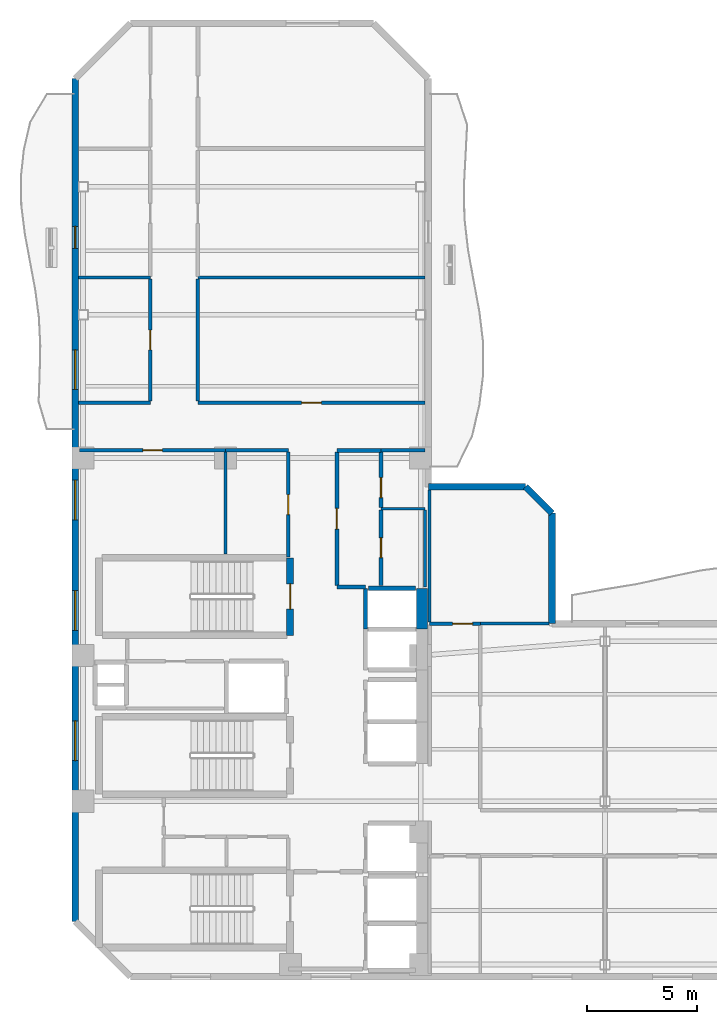
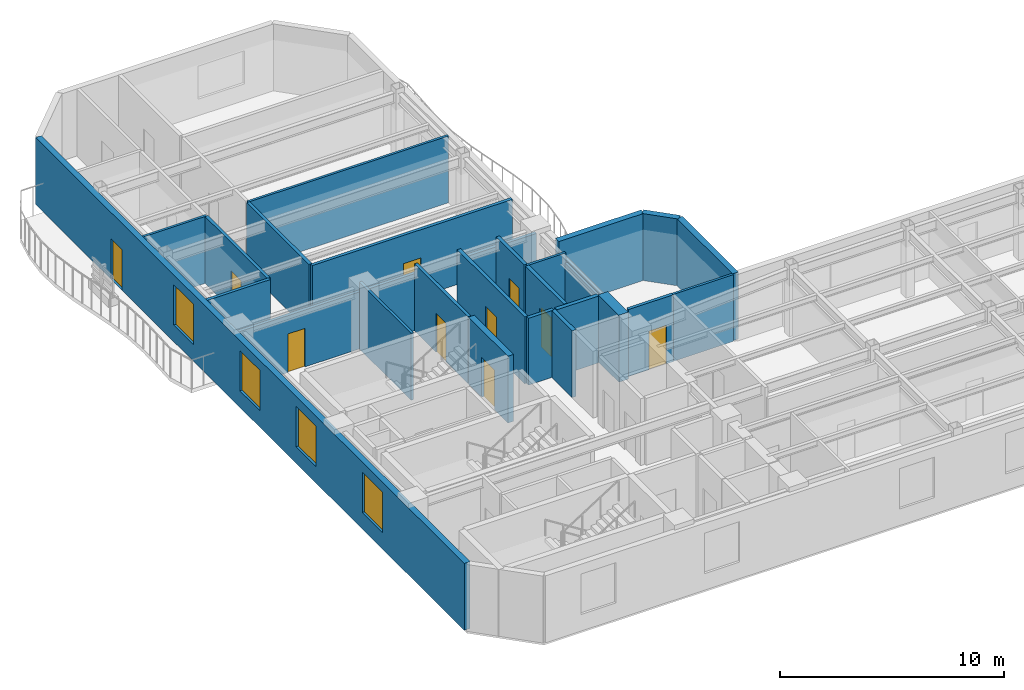
# One storey, part 4 of 9: 29 walls, 10 doors, 4 windows, 14 openings.
"""IFC4 building model written with IfcOpenShell, lengths in metres."""

from ifc_helpers import new_model, si_unit, direction, frame, frame_2d, origin, place, context, subcontext, project, spatial, rectangle, extrude, material, layer, layer_set, type_object, element, fill, save


model = new_model("IFC4")

# Units and contexts
model_context = context("Model", 3, precision=1e-05, world=origin(), true_north=direction((0.0, 1.0)))
body_context = subcontext(model_context, "Body", "Model", "MODEL_VIEW")
ifc_project = project(units=[si_unit("LENGTHUNIT", "METRE"), si_unit("AREAUNIT", "SQUARE_METRE"), si_unit("VOLUMEUNIT", "CUBIC_METRE"), si_unit("PLANEANGLEUNIT", "RADIAN"), si_unit("MASSUNIT", "GRAM", prefix="KILO")], contexts=[model_context])

# Site, building, storey
site_placement = place(None, origin())
site = spatial("IfcSite", under=ifc_project, at=site_placement, CompositionType="ELEMENT")
building_placement = place(site_placement, origin())
building = spatial("IfcBuilding", under=site, at=building_placement, Name="Mawjaban Terraces University", CompositionType="ELEMENT")
storey_placement = place(building_placement, frame((0.0, 0.0, 234.300048828125)))
storey = spatial("IfcBuildingStorey", under=building, at=storey_placement, Name="L57", CompositionType="ELEMENT", Elevation=234.300048828125)

# Walls
ifc_material_1 = material(Name="Acoustic masonry blockwork", Category="masonry")
ifc_layer_1 = layer(ifc_material_1, 0.179931640625)
ifc_layer_set_1 = layer_set([ifc_layer_1], Name="Acoustic masonry blockwork")
wall_type_1 = type_object("IfcWallType", Name="AcousticStudioWall_180", PredefinedType="PARTITIONING", material=ifc_layer_set_1)
wall_1_placement = place(storey_placement, frame((33.85009765625, 17.64990234375, 0.0), z_axis=(0.0, 0.0, 1.0), x_axis=(1.0, 0.0, 0.0)))
element("IfcWall", 1, at=wall_1_placement, inside=storey, type_object=wall_type_1, Name="L57 Graduate Research Collaboration Studio Partition 11", PredefinedType="PARTITIONING", context=body_context, shape_type="SweptSolid", body=[
    extrude(rectangle(XDim=1.2998046875, YDim=0.179931640625, at=frame_2d((0.64990234375, 0.0))), origin(), (0.0, 0.0, 1.0), 3.639892578125),
])
wall_2_placement = place(storey_placement, frame((35.85009765625, 23.85009765625, 0.0), z_axis=(0.0, 0.0, 1.0), x_axis=(-1.0, 0.0, 0.0)))
element("IfcWall", 2, at=wall_2_placement, inside=storey, type_object=wall_type_1, Name="L57 Graduate Research Collaboration Studio Partition 14", PredefinedType="PARTITIONING", context=body_context, shape_type="SweptSolid", body=[
    extrude(rectangle(XDim=2.0, YDim=0.179931640625, at=frame_2d((1.0, 0.0))), origin(), (0.0, 0.0, 1.0), 3.095947265625),
])

# Wall, opening, door
wall_3_placement = place(storey_placement, frame((33.85009765625, 17.735107421875, 0.0), z_axis=(0.0, 0.0, 1.0), x_axis=(0.0, 1.0, 0.0)))
wall_3 = element("IfcWall", 3, at=wall_3_placement, inside=storey, type_object=wall_type_1, Name="L57 Core North Lift Lobby Partition 43", PredefinedType="PARTITIONING", context=body_context, shape_type="SweptSolid", body=[
    extrude(rectangle(XDim=6.02978515625, YDim=0.179931640625, at=frame_2d((3.014892578125, 0.0))), origin(), (0.0, 0.0, 1.0), 3.639892578125),
])
opening_1_placement = place(wall_3_placement, frame((2.5400390625, 0.0, 0.0)))
opening_1 = element("IfcOpeningElement", 4, at=opening_1_placement, cuts=wall_3, Name="Opening ID-095", PredefinedType="OPENING", context=body_context, shape_type="SweptSolid", body=[
    extrude(rectangle(XDim=0.949951171875, YDim=2.10009765625, at=frame_2d((0.47509765625, 1.050048828125))), frame((0.0, 0.099853515625, 0.0), z_axis=(0.0, -1.0, 0.0), x_axis=(1.0, 0.0, 0.0)), (0.0, 0.0, 1.0), 0.199951171875),
])
ifc_material_2 = material(Name="Powder-coated steel frame and solid acoustic timber leaf", Category="steel")
door_type_1 = type_object("IfcDoorType", Name="StudioDoor_950x2100", OperationType="NOTDEFINED", PredefinedType="DOOR", material=ifc_material_2)
door_1_placement = place(opening_1_placement, origin())
door_1 = element("IfcDoor", 5, at=door_1_placement, inside=storey, type_object=door_type_1, Name="L57 Graduate Research Collaboration Studio Door", OperationType="SINGLE_SWING_RIGHT", OverallHeight=2.10009765625, OverallWidth=0.949951171875, PredefinedType="DOOR", context=body_context, shape_type="SweptSolid", body=[
    extrude(rectangle(XDim=0.949951171875, YDim=2.10009765625, at=frame_2d((0.47509765625, 1.050048828125))), frame((0.0, 0.02490234375, 0.0), z_axis=(0.0, -1.0, 0.0), x_axis=(1.0, 0.0, 0.0)), (0.0, 0.0, 1.0), 0.050048828125),
])
fill(opening_1, door_1)

wall_4_placement = place(storey_placement, frame((35.85009765625, 17.72998046875, 0.0), z_axis=(0.0, 0.0, 1.0), x_axis=(0.0, 1.0, 0.0)))
wall_4 = element("IfcWall", 6, at=wall_4_placement, inside=storey, type_object=wall_type_1, Name="L57 Graduate Research Collaboration Studio Partition 44", PredefinedType="PARTITIONING", context=body_context, shape_type="SweptSolid", body=[
    extrude(rectangle(XDim=3.412109375, YDim=0.179931640625, at=frame_2d((1.7060546875, 0.0))), origin(), (0.0, 0.0, 1.0), 3.639892578125),
])
opening_2_placement = place(wall_4_placement, frame((1.256103515625, 0.0, 0.0)))
opening_2 = element("IfcOpeningElement", 7, at=opening_2_placement, cuts=wall_4, Name="Opening ID-090", PredefinedType="OPENING", context=body_context, shape_type="SweptSolid", body=[
    extrude(rectangle(XDim=0.89990234375, YDim=2.10009765625, at=frame_2d((0.449951171875, 1.050048828125))), frame((0.0, 0.099853515625, 0.0), z_axis=(0.0, -1.0, 0.0), x_axis=(1.0, 0.0, 0.0)), (0.0, 0.0, 1.0), 0.199951171875),
])
door_type_2 = type_object("IfcDoorType", Name="OfficeDoor_900x2100", OperationType="NOTDEFINED", PredefinedType="DOOR", material=ifc_material_2)
door_2_placement = place(opening_2_placement, origin())
door_2 = element("IfcDoor", 8, at=door_2_placement, inside=storey, type_object=door_type_2, Name="L57 Research Instrument Store Door", OperationType="SINGLE_SWING_RIGHT", OverallHeight=2.10009765625, OverallWidth=0.89990234375, PredefinedType="DOOR", context=body_context, shape_type="SweptSolid", body=[
    extrude(rectangle(XDim=0.89990234375, YDim=2.10009765625, at=frame_2d((0.449951171875, 1.050048828125))), frame((0.0, 0.02490234375, 0.0), z_axis=(0.0, -1.0, 0.0), x_axis=(1.0, 0.0, 0.0)), (0.0, 0.0, 1.0), 0.050048828125),
])
fill(opening_2, door_2)

wall_5_placement = place(storey_placement, frame((35.85009765625, 21.258056640625, 0.0), z_axis=(0.0, 0.0, 1.0), x_axis=(0.0, 1.0, 0.0)))
wall_5 = element("IfcWall", 9, at=wall_5_placement, inside=storey, type_object=wall_type_1, Name="L57 Graduate Research Collaboration Studio Partition 45", PredefinedType="PARTITIONING", context=body_context, shape_type="SweptSolid", body=[
    extrude(rectangle(XDim=2.5068359375, YDim=0.179931640625, at=frame_2d((1.25341796875, 0.0))), origin(), (0.0, 0.0, 1.0), 3.639892578125),
])
opening_3_placement = place(wall_5_placement, frame((0.4541015625, 0.0, 0.0)))
opening_3 = element("IfcOpeningElement", 10, at=opening_3_placement, cuts=wall_5, Name="Opening ID-090", PredefinedType="OPENING", context=body_context, shape_type="SweptSolid", body=[
    extrude(rectangle(XDim=0.89990234375, YDim=2.10009765625, at=frame_2d((0.449951171875, 1.050048828125))), frame((0.0, 0.099853515625, 0.0), z_axis=(0.0, -1.0, 0.0), x_axis=(1.0, 0.0, 0.0)), (0.0, 0.0, 1.0), 0.199951171875),
])
door_3_placement = place(opening_3_placement, origin())
door_3 = element("IfcDoor", 11, at=door_3_placement, inside=storey, type_object=door_type_2, Name="L57 Graduate Quiet Study Alcove Door", OperationType="SINGLE_SWING_LEFT", OverallHeight=2.10009765625, OverallWidth=0.89990234375, PredefinedType="DOOR", context=body_context, shape_type="SweptSolid", body=[
    extrude(rectangle(XDim=0.89990234375, YDim=2.10009765625, at=frame_2d((0.449951171875, 1.050048828125))), frame((0.0, 0.02490234375, 0.0), z_axis=(0.0, -1.0, 0.0), x_axis=(1.0, 0.0, 0.0)), (0.0, 0.0, 1.0), 0.050048828125),
])
fill(opening_3, door_3)

# Walls
ifc_material_3 = material(Name="Concrete C60/75", Category="concrete")
ifc_layer_2 = layer(ifc_material_3, 0.5)
ifc_layer_set_2 = layer_set([ifc_layer_2], Name="Concrete C60/75")
wall_type_2 = type_object("IfcWallType", Name="CoreShearWall_500", PredefinedType="SHEAR", material=ifc_layer_set_2)
wall_6_placement = place(storey_placement, frame((37.699951171875, 15.75, 0.0), z_axis=(0.0, 0.0, 1.0), x_axis=(0.0, 1.0, 0.0)))
element("IfcWall", 12, at=wall_6_placement, inside=storey, type_object=wall_type_2, Name="L57 Lift OL-2 Hoistway Wall East", PredefinedType="SHEAR", context=body_context, shape_type="SweptSolid", body=[
    extrude(rectangle(XDim=1.85009765625, YDim=0.5, at=frame_2d((0.925048828125, 0.0))), origin(), (0.0, 0.0, 1.0), 3.639892578125),
])
ifc_material_4 = material(Name="Fire-rated gypsum board on steel stud", Category="steel")
ifc_layer_3 = layer(ifc_material_4, 0.159912109375)
ifc_layer_set_3 = layer_set([ifc_layer_3], Name="Fire-rated gypsum board on steel stud")
wall_type_3 = type_object("IfcWallType", Name="CorridorPartition_160", PredefinedType="PARTITIONING", material=ifc_layer_set_3)
wall_7_placement = place(storey_placement, frame((25.39990234375, 26.0, 0.0), z_axis=(0.0, 0.0, 1.0), x_axis=(-1.0, 0.0, 0.0)))
element("IfcWall", 13, at=wall_7_placement, inside=storey, type_object=wall_type_3, Name="L57 North Core Cross-Corridor Partition 3", PredefinedType="PARTITIONING", context=body_context, shape_type="SweptSolid", body=[
    extrude(rectangle(XDim=3.2548828125, YDim=0.159912109375, at=frame_2d((1.62744140625, 0.0))), origin(), (0.0, 0.0, 1.0), 3.639892578125),
])

# Wall, opening, door
wall_8_placement = place(storey_placement, frame((28.800048828125, 23.85009765625, 0.0), z_axis=(0.0, 0.0, 1.0), x_axis=(-1.0, 0.0, 0.0)))
wall_8 = element("IfcWall", 14, at=wall_8_placement, inside=storey, type_object=wall_type_3, Name="L57 Female Toilet Partition 7", PredefinedType="PARTITIONING", context=body_context, shape_type="SweptSolid", body=[
    extrude(rectangle(XDim=6.60009765625, YDim=0.159912109375, at=frame_2d((3.300048828125, 0.0))), origin(), (0.0, 0.0, 1.0), 3.095947265625),
])
opening_4_placement = place(wall_8_placement, frame((2.860107421875, 0.0, 0.0)))
opening_4 = element("IfcOpeningElement", 15, at=opening_4_placement, cuts=wall_8, Name="Opening ID-088", PredefinedType="OPENING", context=body_context, shape_type="SweptSolid", body=[
    extrude(rectangle(XDim=0.8798828125, YDim=2.10009765625, at=frame_2d((0.43994140625, 1.050048828125))), frame((0.0, 0.08984375, 0.0), z_axis=(0.0, -1.0, 0.0), x_axis=(1.0, 0.0, 0.0)), (0.0, 0.0, 1.0), 0.179931640625),
])
door_type_3 = type_object("IfcDoorType", Name="ToiletDoor_880x2100", OperationType="NOTDEFINED", PredefinedType="DOOR", material=ifc_material_2)
door_4_placement = place(opening_4_placement, origin())
door_4 = element("IfcDoor", 16, at=door_4_placement, inside=storey, type_object=door_type_3, Name="L57 Female Toilet Door", OperationType="SINGLE_SWING_RIGHT", OverallHeight=2.10009765625, OverallWidth=0.8798828125, PredefinedType="DOOR", context=body_context, shape_type="SweptSolid", body=[
    extrude(rectangle(XDim=0.8798828125, YDim=2.10009765625, at=frame_2d((0.43994140625, 1.050048828125))), frame((0.0, 0.02490234375, 0.0), z_axis=(0.0, -1.0, 0.0), x_axis=(1.0, 0.0, 0.0)), (0.0, 0.0, 1.0), 0.050048828125),
])
fill(opening_4, door_4)

# Walls
wall_9_placement = place(storey_placement, frame((31.64990234375, 23.85009765625, 0.0), z_axis=(0.0, 0.0, 1.0), x_axis=(-1.0, 0.0, 0.0)))
element("IfcWall", 17, at=wall_9_placement, inside=storey, type_object=wall_type_3, Name="L57 Faculty Academic Resource Office Partition 10", PredefinedType="PARTITIONING", context=body_context, shape_type="SweptSolid", body=[
    extrude(rectangle(XDim=2.849853515625, YDim=0.159912109375, at=frame_2d((1.4248046875, 0.0))), origin(), (0.0, 0.0, 1.0), 3.095947265625),
])
wall_10_placement = place(storey_placement, frame((37.85009765625, 23.85009765625, 0.0), z_axis=(0.0, 0.0, 1.0), x_axis=(-1.0, 0.0, 0.0)))
element("IfcWall", 18, at=wall_10_placement, inside=storey, type_object=wall_type_3, Name="L57 Graduate Quiet Study Alcove Partition 15", PredefinedType="PARTITIONING", context=body_context, shape_type="SweptSolid", body=[
    extrude(rectangle(XDim=2.0, YDim=0.159912109375, at=frame_2d((1.0, 0.0))), origin(), (0.0, 0.0, 1.0), 3.095947265625),
])

# Wall, opening, door
wall_11_placement = place(storey_placement, frame((37.85009765625, 26.0, 0.0), z_axis=(0.0, 0.0, 1.0), x_axis=(-1.0, 0.0, 0.0)))
wall_11 = element("IfcWall", 19, at=wall_11_placement, inside=storey, type_object=wall_type_3, Name="L57 North Core Cross-Corridor Partition 16", PredefinedType="PARTITIONING", context=body_context, shape_type="SweptSolid", body=[
    extrude(rectangle(XDim=10.300048828125, YDim=0.159912109375, at=frame_2d((5.14990234375, 0.0))), origin(), (0.0, 0.0, 1.0), 3.639892578125),
])
opening_5_placement = place(wall_11_placement, frame((4.699951171875, 0.0, 0.0)))
opening_5 = element("IfcOpeningElement", 20, at=opening_5_placement, cuts=wall_11, Name="Opening ID-090", PredefinedType="OPENING", context=body_context, shape_type="SweptSolid", body=[
    extrude(rectangle(XDim=0.89990234375, YDim=2.10009765625, at=frame_2d((0.449951171875, 1.050048828125))), frame((0.0, 0.08984375, 0.0), z_axis=(0.0, -1.0, 0.0), x_axis=(1.0, 0.0, 0.0)), (0.0, 0.0, 1.0), 0.179931640625),
])
door_5_placement = place(opening_5_placement, origin())
door_5 = element("IfcDoor", 21, at=door_5_placement, inside=storey, type_object=door_type_2, Name="L57 Student Tea Pantry 11 Door", OperationType="SINGLE_SWING_LEFT", OverallHeight=2.10009765625, OverallWidth=0.89990234375, PredefinedType="DOOR", context=body_context, shape_type="SweptSolid", body=[
    extrude(rectangle(XDim=0.89990234375, YDim=2.10009765625, at=frame_2d((0.449951171875, 1.050048828125))), frame((0.0, 0.02490234375, 0.0), z_axis=(0.0, -1.0, 0.0), x_axis=(1.0, 0.0, 0.0)), (0.0, 0.0, 1.0), 0.050048828125),
])
fill(opening_5, door_5)

wall_12_placement = place(storey_placement, frame((40.35009765625, 16.0, 0.0), z_axis=(0.0, 0.0, 1.0), x_axis=(-1.0, 0.0, 0.0)))
wall_12 = element("IfcWall", 22, at=wall_12_placement, inside=storey, type_object=wall_type_3, Name="L57 South Spine Spur Link Partition 21", PredefinedType="PARTITIONING", context=body_context, shape_type="SweptSolid", body=[
    extrude(rectangle(XDim=2.300048828125, YDim=0.159912109375, at=frame_2d((1.14990234375, 0.0))), origin(), (0.0, 0.0, 1.0), 3.639892578125),
])
opening_6_placement = place(wall_12_placement, frame((0.35009765625, 0.0, 0.0)))
opening_6 = element("IfcOpeningElement", 23, at=opening_6_placement, cuts=wall_12, Name="Opening ID-090", PredefinedType="OPENING", context=body_context, shape_type="SweptSolid", body=[
    extrude(rectangle(XDim=0.89990234375, YDim=2.10009765625, at=frame_2d((0.449951171875, 1.050048828125))), frame((0.0, 0.08984375, 0.0), z_axis=(0.0, -1.0, 0.0), x_axis=(1.0, 0.0, 0.0)), (0.0, 0.0, 1.0), 0.179931640625),
])
door_6_placement = place(opening_6_placement, origin())
door_6 = element("IfcDoor", 24, at=door_6_placement, inside=storey, type_object=door_type_2, Name="L57 Terrace Collaborative Study Room Door", OperationType="SINGLE_SWING_RIGHT", OverallHeight=2.10009765625, OverallWidth=0.89990234375, PredefinedType="DOOR", context=body_context, shape_type="SweptSolid", body=[
    extrude(rectangle(XDim=0.89990234375, YDim=2.10009765625, at=frame_2d((0.449951171875, 1.050048828125))), frame((0.0, 0.02490234375, 0.0), z_axis=(0.0, -1.0, 0.0), x_axis=(1.0, 0.0, 0.0)), (0.0, 0.0, 1.0), 0.050048828125),
])
fill(opening_6, door_6)

wall_13_placement = place(storey_placement, frame((25.39990234375, 31.6220703125, 0.0), z_axis=(0.0, 0.0, 1.0), x_axis=(0.0, -1.0, 0.0)))
wall_13 = element("IfcWall", 25, at=wall_13_placement, inside=storey, type_object=wall_type_3, Name="L57 West Shifted Academic Corridor Partition 31", PredefinedType="PARTITIONING", context=body_context, shape_type="SweptSolid", body=[
    extrude(rectangle(XDim=5.547119140625, YDim=0.159912109375, at=frame_2d((2.7734375, 0.0))), origin(), (0.0, 0.0, 1.0), 3.639892578125),
])
opening_7_placement = place(wall_13_placement, frame((2.323974609375, 0.0, 0.0)))
opening_7 = element("IfcOpeningElement", 26, at=opening_7_placement, cuts=wall_13, Name="Opening ID-090", PredefinedType="OPENING", context=body_context, shape_type="SweptSolid", body=[
    extrude(rectangle(XDim=0.89990234375, YDim=2.10009765625, at=frame_2d((0.449951171875, 1.050048828125))), frame((0.0, 0.08984375, 0.0), z_axis=(0.0, -1.0, 0.0), x_axis=(1.0, 0.0, 0.0)), (0.0, 0.0, 1.0), 0.179931640625),
])
door_7_placement = place(opening_7_placement, origin())
door_7 = element("IfcDoor", 27, at=door_7_placement, inside=storey, type_object=door_type_2, Name="L57 Student Tea Pantry 10 Door", OperationType="SINGLE_SWING_RIGHT", OverallHeight=2.10009765625, OverallWidth=0.89990234375, PredefinedType="DOOR", context=body_context, shape_type="SweptSolid", body=[
    extrude(rectangle(XDim=0.89990234375, YDim=2.10009765625, at=frame_2d((0.449951171875, 1.050048828125))), frame((0.0, 0.02490234375, 0.0), z_axis=(0.0, -1.0, 0.0), x_axis=(1.0, 0.0, 0.0)), (0.0, 0.0, 1.0), 0.050048828125),
])
fill(opening_7, door_7)

# Wall
wall_14_placement = place(storey_placement, frame((27.550048828125, 26.074951171875, 0.0), z_axis=(0.0, 0.0, 1.0), x_axis=(0.0, 1.0, 0.0)))
element("IfcWall", 28, at=wall_14_placement, inside=storey, type_object=wall_type_3, Name="L57 West Shifted Academic Corridor Partition 36", PredefinedType="PARTITIONING", context=body_context, shape_type="SweptSolid", body=[
    extrude(rectangle(XDim=5.547119140625, YDim=0.159912109375, at=frame_2d((2.7734375, 0.0))), origin(), (0.0, 0.0, 1.0), 3.639892578125),
])

# Wall, opening, door
wall_15_placement = place(storey_placement, frame((31.64990234375, 19.010009765625, 0.0), z_axis=(0.0, 0.0, 1.0), x_axis=(0.0, 1.0, 0.0)))
wall_15 = element("IfcWall", 29, at=wall_15_placement, inside=storey, type_object=wall_type_3, Name="L57 Faculty Academic Resource Office Partition 42", PredefinedType="PARTITIONING", context=body_context, shape_type="SweptSolid", body=[
    extrude(rectangle(XDim=4.764892578125, YDim=0.159912109375, at=frame_2d((2.38232421875, 0.0))), origin(), (0.0, 0.0, 1.0), 3.639892578125),
])
opening_8_placement = place(wall_15_placement, frame((1.931884765625, 0.0, 0.0)))
opening_8 = element("IfcOpeningElement", 30, at=opening_8_placement, cuts=wall_15, Name="Opening ID-090", PredefinedType="OPENING", context=body_context, shape_type="SweptSolid", body=[
    extrude(rectangle(XDim=0.89990234375, YDim=2.10009765625, at=frame_2d((0.449951171875, 1.050048828125))), frame((0.0, 0.08984375, 0.0), z_axis=(0.0, -1.0, 0.0), x_axis=(1.0, 0.0, 0.0)), (0.0, 0.0, 1.0), 0.179931640625),
])
door_8_placement = place(opening_8_placement, origin())
door_8 = element("IfcDoor", 31, at=door_8_placement, inside=storey, type_object=door_type_2, Name="L57 Faculty Academic Resource Office Door", OperationType="SINGLE_SWING_LEFT", OverallHeight=2.10009765625, OverallWidth=0.89990234375, PredefinedType="DOOR", context=body_context, shape_type="SweptSolid", body=[
    extrude(rectangle(XDim=0.89990234375, YDim=2.10009765625, at=frame_2d((0.449951171875, 1.050048828125))), frame((0.0, 0.02490234375, 0.0), z_axis=(0.0, -1.0, 0.0), x_axis=(1.0, 0.0, 0.0)), (0.0, 0.0, 1.0), 0.050048828125),
])
fill(opening_8, door_8)

# Walls
ifc_material_5 = material(Name="Insulated terracotta rainscreen on concrete backup C40/50", Category="masonry")
ifc_layer_4 = layer(ifc_material_5, 0.300048828125)
ifc_layer_set_4 = layer_set([ifc_layer_4], Name="Insulated terracotta rainscreen on concrete backup C40/50")
wall_type_4 = type_object("IfcWallType", Name="ExtTerracottaWall_300", PredefinedType="SOLIDWALL", material=ifc_layer_set_4)
wall_16_placement = place(storey_placement, frame((43.60009765625, 16.0, 0.0), z_axis=(0.0, 0.0, 1.0), x_axis=(0.0, 1.0, 0.0)))
element("IfcWall", 32, at=wall_16_placement, inside=storey, type_object=wall_type_4, Name="L57 Exterior Terracotta Wall 6", PredefinedType="SOLIDWALL", context=body_context, shape_type="SweptSolid", body=[
    extrude(rectangle(XDim=5.0, YDim=0.300048828125, at=frame_2d((2.5, 0.0))), origin(), (0.0, 0.0, 1.0), 3.639892578125),
])
wall_17_placement = place(storey_placement, frame((43.60009765625, 21.0, 0.0), z_axis=(0.0, 0.0, 1.0), x_axis=(-0.707178703759, 0.707034851297, 0.0)))
element("IfcWall", 33, at=wall_17_placement, inside=storey, type_object=wall_type_4, Name="L57 Exterior Terracotta Wall 7", PredefinedType="SOLIDWALL", context=body_context, shape_type="SweptSolid", body=[
    extrude(rectangle(XDim=1.697265625, YDim=0.300048828125, at=frame_2d((0.8486328125, 0.0))), origin(), (0.0, 0.0, 1.0), 3.639892578125),
])
wall_18_placement = place(storey_placement, frame((42.39990234375, 22.199951171875, 0.0), z_axis=(0.0, 0.0, 1.0), x_axis=(-1.0, 0.0, 0.0)))
element("IfcWall", 34, at=wall_18_placement, inside=storey, type_object=wall_type_4, Name="L57 Exterior Terracotta Wall 8", PredefinedType="SOLIDWALL", context=body_context, shape_type="SweptSolid", body=[
    extrude(rectangle(XDim=4.39990234375, YDim=0.300048828125, at=frame_2d((2.199951171875, 0.0))), origin(), (0.0, 0.0, 1.0), 3.639892578125),
])

# Wall, openings, door, windows
wall_19_placement = place(storey_placement, frame((22.0, 40.699951171875, 0.0), z_axis=(0.0, 0.0, 1.0), x_axis=(0.0, -1.0, 0.0)))
wall_19 = element("IfcWall", 35, at=wall_19_placement, inside=storey, type_object=wall_type_4, Name="L57 Exterior Terracotta Wall 13", PredefinedType="SOLIDWALL", context=body_context, shape_type="SweptSolid", body=[
    extrude(rectangle(XDim=38.199951171875, YDim=0.300048828125, at=frame_2d((19.10009765625, 0.0))), origin(), (0.0, 0.0, 1.0), 3.639892578125),
])
opening_9_placement = place(wall_19_placement, frame((6.699951171875, 0.0, 0.0)))
opening_9 = element("IfcOpeningElement", 36, at=opening_9_placement, cuts=wall_19, Name="Opening BD-100", PredefinedType="OPENING", context=body_context, shape_type="SweptSolid", body=[
    extrude(rectangle(XDim=1.0, YDim=2.199951171875, at=frame_2d((0.5, 1.10009765625))), frame((0.0, 0.159912109375, 0.0), z_axis=(0.0, -1.0, 0.0), x_axis=(1.0, 0.0, 0.0)), (0.0, 0.0, 1.0), 0.320068359375),
])
opening_10_placement = place(wall_19_placement, frame((12.29296875, 0.0, 0.89990234375)))
opening_10 = element("IfcOpeningElement", 37, at=opening_10_placement, cuts=wall_19, Name="Opening W-10", PredefinedType="OPENING", context=body_context, shape_type="SweptSolid", body=[
    extrude(rectangle(XDim=1.800048828125, YDim=2.199951171875, at=frame_2d((0.89990234375, 1.10009765625))), frame((0.0, 0.159912109375, 0.0), z_axis=(0.0, -1.0, 0.0), x_axis=(1.0, 0.0, 0.0)), (0.0, 0.0, 1.0), 0.320068359375),
])
opening_11_placement = place(wall_19_placement, frame((18.199951171875, 0.0, 0.89990234375)))
opening_11 = element("IfcOpeningElement", 38, at=opening_11_placement, cuts=wall_19, Name="Opening W-10", PredefinedType="OPENING", context=body_context, shape_type="SweptSolid", body=[
    extrude(rectangle(XDim=1.800048828125, YDim=2.199951171875, at=frame_2d((0.89990234375, 1.10009765625))), frame((0.0, 0.159912109375, 0.0), z_axis=(0.0, -1.0, 0.0), x_axis=(1.0, 0.0, 0.0)), (0.0, 0.0, 1.0), 0.320068359375),
])
opening_12_placement = place(wall_19_placement, frame((23.20703125, 0.0, 0.89990234375)))
opening_12 = element("IfcOpeningElement", 39, at=opening_12_placement, cuts=wall_19, Name="Opening W-10", PredefinedType="OPENING", context=body_context, shape_type="SweptSolid", body=[
    extrude(rectangle(XDim=1.800048828125, YDim=2.199951171875, at=frame_2d((0.89990234375, 1.10009765625))), frame((0.0, 0.159912109375, 0.0), z_axis=(0.0, -1.0, 0.0), x_axis=(1.0, 0.0, 0.0)), (0.0, 0.0, 1.0), 0.320068359375),
])
opening_13_placement = place(wall_19_placement, frame((29.114013671875, 0.0, 0.89990234375)))
opening_13 = element("IfcOpeningElement", 40, at=opening_13_placement, cuts=wall_19, Name="Opening W-10", PredefinedType="OPENING", context=body_context, shape_type="SweptSolid", body=[
    extrude(rectangle(XDim=1.800048828125, YDim=2.199951171875, at=frame_2d((0.89990234375, 1.10009765625))), frame((0.0, 0.159912109375, 0.0), z_axis=(0.0, -1.0, 0.0), x_axis=(1.0, 0.0, 0.0)), (0.0, 0.0, 1.0), 0.320068359375),
])
ifc_material_6 = material(Name="Thermally broken anodised aluminium and laminated safety glass", Category="aluminium")
door_type_4 = type_object("IfcDoorType", Name="BalconyGlazedDoor_1000x2200", OperationType="NOTDEFINED", PredefinedType="DOOR", material=ifc_material_6)
door_9_placement = place(opening_9_placement, origin())
door_9 = element("IfcDoor", 41, at=door_9_placement, inside=storey, type_object=door_type_4, Name="L57 Balcony Access Door west", OperationType="SINGLE_SWING_RIGHT", OverallHeight=2.199951171875, OverallWidth=1.0, PredefinedType="DOOR", context=body_context, shape_type="SweptSolid", body=[
    extrude(rectangle(XDim=1.0, YDim=2.199951171875, at=frame_2d((0.5, 1.10009765625))), frame((0.0, 0.02490234375, 0.0), z_axis=(0.0, -1.0, 0.0), x_axis=(1.0, 0.0, 0.0)), (0.0, 0.0, 1.0), 0.050048828125),
])
fill(opening_9, door_9)
ifc_material_7 = material(Name="Low-E solar-control double glazing in thermally broken aluminium frame", Category="aluminium")
window_type = type_object("IfcWindowType", Name="Win_1800x2200", PartitioningType="SINGLE_PANEL", PredefinedType="WINDOW", material=ifc_material_7)
window_1_placement = place(opening_10_placement, origin())
window_1 = element("IfcWindow", 42, at=window_1_placement, inside=storey, type_object=window_type, Name="L57 Facade Window 13.3", OverallHeight=2.199951171875, OverallWidth=1.800048828125, PartitioningType="SINGLE_PANEL", PredefinedType="WINDOW", context=body_context, shape_type="SweptSolid", body=[
    extrude(rectangle(XDim=1.800048828125, YDim=2.199951171875, at=frame_2d((0.89990234375, 1.10009765625))), frame((0.0, 0.030029296875, 0.0), z_axis=(0.0, -1.0, 0.0), x_axis=(1.0, 0.0, 0.0)), (0.0, 0.0, 1.0), 0.06005859375),
])
fill(opening_10, window_1)
window_2_placement = place(opening_11_placement, origin())
window_2 = element("IfcWindow", 43, at=window_2_placement, inside=storey, type_object=window_type, Name="L57 Facade Window 13.4", OverallHeight=2.199951171875, OverallWidth=1.800048828125, PartitioningType="SINGLE_PANEL", PredefinedType="WINDOW", context=body_context, shape_type="SweptSolid", body=[
    extrude(rectangle(XDim=1.800048828125, YDim=2.199951171875, at=frame_2d((0.89990234375, 1.10009765625))), frame((0.0, 0.030029296875, 0.0), z_axis=(0.0, -1.0, 0.0), x_axis=(1.0, 0.0, 0.0)), (0.0, 0.0, 1.0), 0.06005859375),
])
fill(opening_11, window_2)
window_3_placement = place(opening_12_placement, origin())
window_3 = element("IfcWindow", 44, at=window_3_placement, inside=storey, type_object=window_type, Name="L57 Facade Window 13.5", OverallHeight=2.199951171875, OverallWidth=1.800048828125, PartitioningType="SINGLE_PANEL", PredefinedType="WINDOW", context=body_context, shape_type="SweptSolid", body=[
    extrude(rectangle(XDim=1.800048828125, YDim=2.199951171875, at=frame_2d((0.89990234375, 1.10009765625))), frame((0.0, 0.030029296875, 0.0), z_axis=(0.0, -1.0, 0.0), x_axis=(1.0, 0.0, 0.0)), (0.0, 0.0, 1.0), 0.06005859375),
])
fill(opening_12, window_3)
window_4_placement = place(opening_13_placement, origin())
window_4 = element("IfcWindow", 45, at=window_4_placement, inside=storey, type_object=window_type, Name="L57 Facade Window 13.6", OverallHeight=2.199951171875, OverallWidth=1.800048828125, PartitioningType="SINGLE_PANEL", PredefinedType="WINDOW", context=body_context, shape_type="SweptSolid", body=[
    extrude(rectangle(XDim=1.800048828125, YDim=2.199951171875, at=frame_2d((0.89990234375, 1.10009765625))), frame((0.0, 0.030029296875, 0.0), z_axis=(0.0, -1.0, 0.0), x_axis=(1.0, 0.0, 0.0)), (0.0, 0.0, 1.0), 0.06005859375),
])
fill(opening_13, window_4)

# Walls
ifc_material_8 = material(Name="Concrete C40/50", Category="concrete")
ifc_layer_5 = layer(ifc_material_8, 0.199951171875)
ifc_layer_set_5 = layer_set([ifc_layer_5], Name="Concrete C40/50")
wall_type_5 = type_object("IfcWallType", Name="FireLobbyWall_200", PredefinedType="SOLIDWALL", material=ifc_layer_set_5)
wall_20_placement = place(storey_placement, frame((35.14990234375, 17.60009765625, 0.0), z_axis=(0.0, 0.0, 1.0), x_axis=(0.0, -1.0, 0.0)))
element("IfcWall", 46, at=wall_20_placement, inside=storey, type_object=wall_type_5, Name="L57 Lift OL-2 Hoistway Wall West", PredefinedType="SOLIDWALL", context=body_context, shape_type="SweptSolid", body=[
    extrude(rectangle(XDim=1.85009765625, YDim=0.199951171875, at=frame_2d((0.925048828125, 0.0))), origin(), (0.0, 0.0, 1.0), 3.639892578125),
])
wall_21_placement = place(storey_placement, frame((37.419921875, 17.60009765625, 0.0), z_axis=(0.0, 0.0, 1.0), x_axis=(-1.0, 0.0, 0.0)))
element("IfcWall", 47, at=wall_21_placement, inside=storey, type_object=wall_type_5, Name="L57 Lift OL-2 Hoistway Wall North", PredefinedType="SOLIDWALL", context=body_context, shape_type="SweptSolid", body=[
    extrude(rectangle(XDim=2.139892578125, YDim=0.199951171875, at=frame_2d((1.06982421875, 0.0))), origin(), (0.0, 0.0, 1.0), 3.639892578125),
])
ifc_material_9 = material(Name="Gypsum plasterboard on steel stud", Category="steel")
ifc_layer_6 = layer(ifc_material_9, 0.125)
ifc_layer_set_6 = layer_set([ifc_layer_6], Name="Gypsum plasterboard on steel stud")
wall_type_6 = type_object("IfcWallType", Name="OfficePartition_125", PredefinedType="PARTITIONING", material=ifc_layer_set_6)
wall_22_placement = place(storey_placement, frame((25.39990234375, 31.679931640625, 0.0), z_axis=(0.0, 0.0, 1.0), x_axis=(-1.0, 0.0, 0.0)))
element("IfcWall", 48, at=wall_22_placement, inside=storey, type_object=wall_type_6, Name="L57 Student Tea Pantry 10 Partition 4", PredefinedType="PARTITIONING", context=body_context, shape_type="SweptSolid", body=[
    extrude(rectangle(XDim=3.2548828125, YDim=0.125, at=frame_2d((1.62744140625, 0.0))), origin(), (0.0, 0.0, 1.0), 3.639892578125),
])
wall_23_placement = place(storey_placement, frame((35.85009765625, 21.199951171875, 0.0), z_axis=(0.0, 0.0, 1.0), x_axis=(1.0, 0.0, 0.0)))
element("IfcWall", 49, at=wall_23_placement, inside=storey, type_object=wall_type_6, Name="L57 Graduate Quiet Study Alcove Partition 13", PredefinedType="PARTITIONING", context=body_context, shape_type="SweptSolid", body=[
    extrude(rectangle(XDim=2.0, YDim=0.125, at=frame_2d((1.0, 0.0))), origin(), (0.0, 0.0, 1.0), 3.639892578125),
])
wall_24_placement = place(storey_placement, frame((37.85009765625, 31.679931640625, 0.0), z_axis=(0.0, 0.0, 1.0), x_axis=(-1.0, 0.0, 0.0)))
element("IfcWall", 50, at=wall_24_placement, inside=storey, type_object=wall_type_6, Name="L57 Student Tea Pantry 11 Partition 17", PredefinedType="PARTITIONING", context=body_context, shape_type="SweptSolid", body=[
    extrude(rectangle(XDim=10.300048828125, YDim=0.125, at=frame_2d((5.14990234375, 0.0))), origin(), (0.0, 0.0, 1.0), 3.639892578125),
])
wall_25_placement = place(storey_placement, frame((40.35009765625, 16.0, 0.0), z_axis=(0.0, 0.0, 1.0), x_axis=(1.0, 0.0, 0.0)))
element("IfcWall", 51, at=wall_25_placement, inside=storey, type_object=wall_type_6, Name="L57 Terrace Collaborative Study Room Partition 22", PredefinedType="PARTITIONING", context=body_context, shape_type="SweptSolid", body=[
    extrude(rectangle(XDim=3.10498046875, YDim=0.125, at=frame_2d((1.552490234375, 0.0))), origin(), (0.0, 0.0, 1.0), 3.639892578125),
])
wall_26_placement = place(storey_placement, frame((37.85009765625, 17.64990234375, 0.0), z_axis=(0.0, 0.0, 1.0), x_axis=(0.0, 1.0, 0.0)))
element("IfcWall", 52, at=wall_26_placement, inside=storey, type_object=wall_type_6, Name="L57 Research Instrument Store Partition 46", PredefinedType="PARTITIONING", context=body_context, shape_type="SweptSolid", body=[
    extrude(rectangle(XDim=3.4921875, YDim=0.125, at=frame_2d((1.74609375, 0.0))), origin(), (0.0, 0.0, 1.0), 3.095947265625),
])
wall_27_placement = place(storey_placement, frame((38.050048828125, 22.054931640625, 0.0), z_axis=(0.0, 0.0, 1.0), x_axis=(0.0, -1.0, 0.0)))
element("IfcWall", 53, at=wall_27_placement, inside=storey, type_object=wall_type_6, Name="L57 Terrace Collaborative Study Room Partition 50", PredefinedType="PARTITIONING", context=body_context, shape_type="SweptSolid", body=[
    extrude(rectangle(XDim=5.97998046875, YDim=0.125, at=frame_2d((2.989990234375, 0.0))), origin(), (0.0, 0.0, 1.0), 3.095947265625),
])

# Wall, opening, door
ifc_layer_7 = layer(ifc_material_3, 0.300048828125)
ifc_layer_set_7 = layer_set([ifc_layer_7], Name="Concrete C60/75")
wall_type_7 = type_object("IfcWallType", Name="StairShaftWall_300", PredefinedType="SHEAR", material=ifc_layer_set_7)
wall_28_placement = place(storey_placement, frame((31.72998046875, 15.469970703125, 0.0), z_axis=(0.0, 0.0, 1.0), x_axis=(0.0, 1.0, 0.0)))
wall_28 = element("IfcWall", 54, at=wall_28_placement, inside=storey, type_object=wall_type_7, Name="L57 ST-2 Stair Shaft Wall 4", PredefinedType="SHEAR", context=body_context, shape_type="SweptSolid", body=[
    extrude(rectangle(XDim=3.510009765625, YDim=0.300048828125, at=frame_2d((1.7548828125, 0.0))), origin(), (0.0, 0.0, 1.0), 3.639892578125),
])
opening_14_placement = place(wall_28_placement, frame((1.179931640625, 0.0, 0.0)))
opening_14 = element("IfcOpeningElement", 55, at=opening_14_placement, cuts=wall_28, Name="Opening FD-115", PredefinedType="OPENING", context=body_context, shape_type="SweptSolid", body=[
    extrude(rectangle(XDim=1.14990234375, YDim=2.14990234375, at=frame_2d((0.574951171875, 1.074951171875))), frame((0.0, 0.159912109375, 0.0), z_axis=(0.0, -1.0, 0.0), x_axis=(1.0, 0.0, 0.0)), (0.0, 0.0, 1.0), 0.320068359375),
])
ifc_material_10 = material(Name="Powder-coated steel frame and fire-rated steel-faced leaf", Category="steel")
door_type_5 = type_object("IfcDoorType", Name="FireStairDoor_1150x2150", OperationType="NOTDEFINED", PredefinedType="DOOR", material=ifc_material_10)
door_10_placement = place(opening_14_placement, origin())
door_10 = element("IfcDoor", 56, at=door_10_placement, inside=storey, type_object=door_type_5, Name="L57 ST-2 Pressurised Stair Fire Door", OperationType="SINGLE_SWING_LEFT", OverallHeight=2.14990234375, OverallWidth=1.14990234375, PredefinedType="DOOR", context=body_context, shape_type="SweptSolid", body=[
    extrude(rectangle(XDim=1.14990234375, YDim=2.14990234375, at=frame_2d((0.574951171875, 1.074951171875))), frame((0.0, 0.02490234375, 0.0), z_axis=(0.0, -1.0, 0.0), x_axis=(1.0, 0.0, 0.0)), (0.0, 0.0, 1.0), 0.050048828125),
])
fill(opening_14, door_10)

# Wall
ifc_material_11 = material(Name="Cement-board wet-room partition", Category="masonry")
ifc_layer_8 = layer(ifc_material_11, 0.135009765625)
ifc_layer_set_8 = layer_set([ifc_layer_8], Name="Cement-board wet-room partition")
wall_type_8 = type_object("IfcWallType", Name="WetRoomPartition_135", PredefinedType="PARTITIONING", material=ifc_layer_set_8)
wall_29_placement = place(storey_placement, frame((28.800048828125, 23.77490234375, 0.0), z_axis=(0.0, 0.0, 1.0), x_axis=(0.0, -1.0, 0.0)))
element("IfcWall", 57, at=wall_29_placement, inside=storey, type_object=wall_type_8, Name="L57 Faculty Academic Resource Office Partition 39", PredefinedType="PARTITIONING", context=body_context, shape_type="SweptSolid", body=[
    extrude(rectangle(XDim=4.614990234375, YDim=0.135009765625, at=frame_2d((2.3076171875, 0.0))), origin(), (0.0, 0.0, 1.0), 3.639892578125),
])

save(model, "model.ifc")
